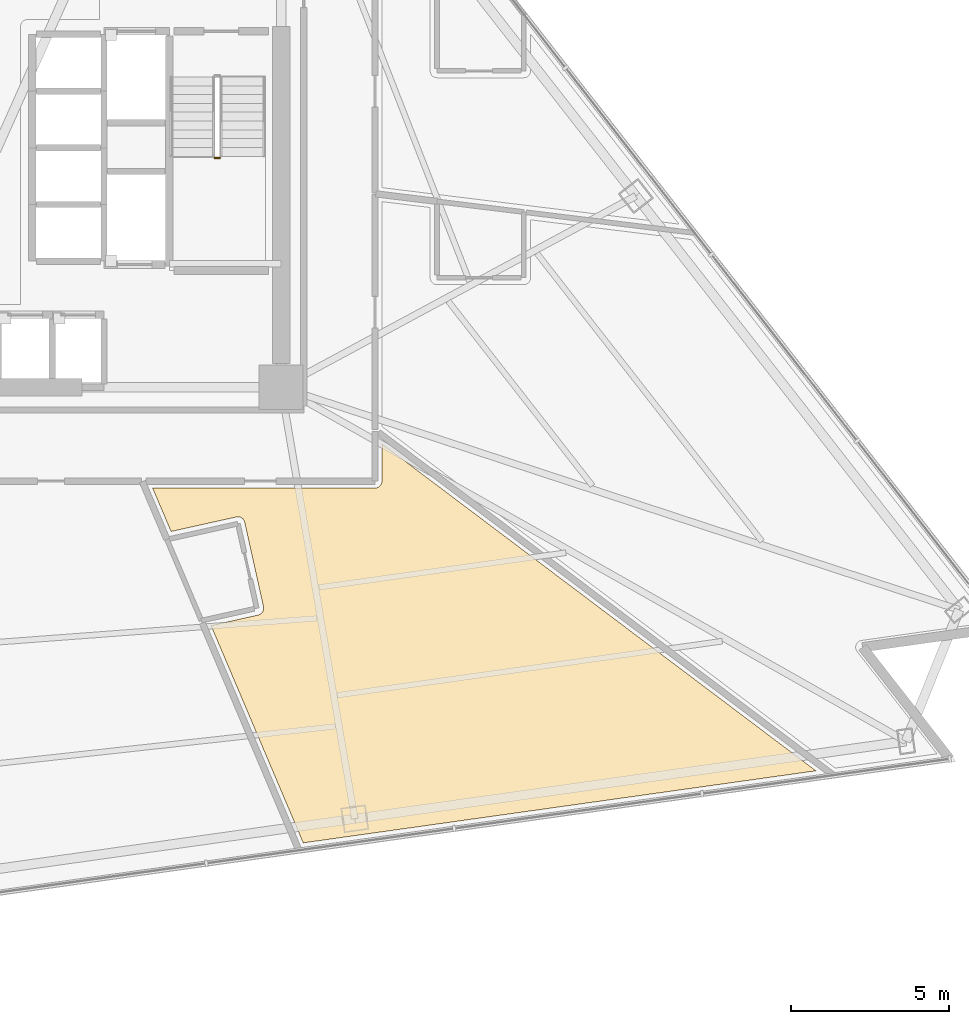
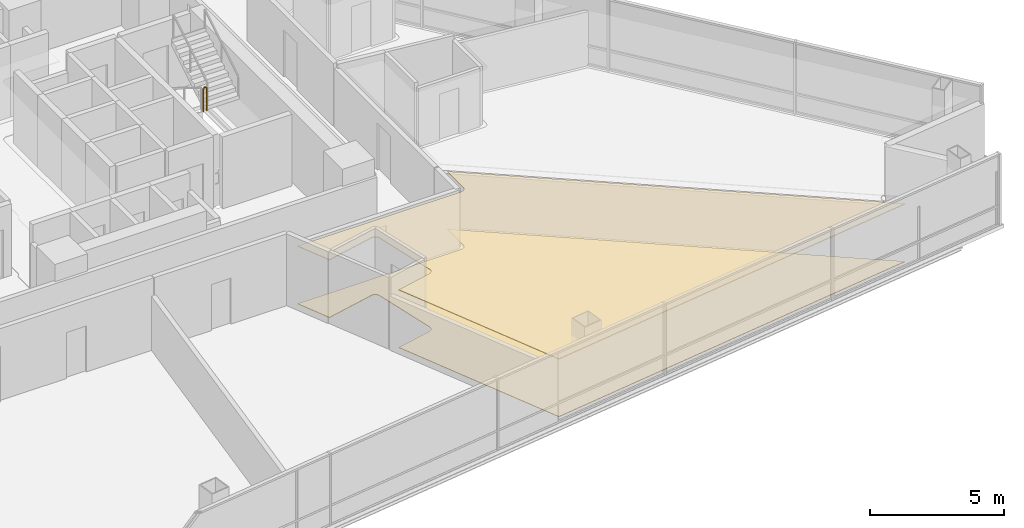
# One storey, part 13 of 15: 2 coverings, 1 railing.
"""IFC4 building model written with IfcOpenShell, lengths in metres."""

from ifc_helpers import new_model, si_unit, direction, frame, origin, origin_2d, place, context, subcontext, project, spatial, polyline, rectangle, outline, extrude, material, layer, layer_set, type_object, element, save


model = new_model("IFC4")

# Units and contexts
model_context = context("Model", 3, precision=1e-05, world=origin(), true_north=direction((0.0, 1.0)))
body_context = subcontext(model_context, "Body", "Model", "MODEL_VIEW")
ifc_project = project(units=[si_unit("LENGTHUNIT", "METRE"), si_unit("AREAUNIT", "SQUARE_METRE"), si_unit("VOLUMEUNIT", "CUBIC_METRE"), si_unit("PLANEANGLEUNIT", "RADIAN"), si_unit("MASSUNIT", "GRAM", prefix="KILO")], contexts=[model_context])

# Site, building, storey
site_placement = place(None, origin())
site = spatial("IfcSite", under=ifc_project, at=site_placement, CompositionType="ELEMENT")
building_placement = place(site_placement, origin())
building = spatial("IfcBuilding", under=site, at=building_placement, Name="Tharavind Bronze Gate", CompositionType="ELEMENT")
storey_placement = place(building_placement, frame((0.0, 0.0, 74.199951171875)))
storey = spatial("IfcBuildingStorey", under=building, at=storey_placement, Name="L18", CompositionType="ELEMENT", Elevation=74.199951171875)

# Coverings
ifc_material_1 = material(Name="Engineered Oak & Carpet Tile", Category="wood")
ifc_layer_1 = layer(ifc_material_1, 0.02490234375)
ifc_layer_set_1 = layer_set([ifc_layer_1], Name="Engineered Oak & Carpet Tile")
covering_type_1 = type_object("IfcCoveringType", Name="ENGINEERED TIMBER FLOORING", PredefinedType="FLOORING", material=ifc_layer_set_1)
covering_1_placement = place(storey_placement, origin())
element("IfcCovering", 1, at=covering_1_placement, inside=storey, type_object=covering_type_1, Name="L18-RM-09 floor finish", PredefinedType="FLOORING", context=body_context, shape_type="SweptSolid", body=[
    extrude(outline(polyline([(5.407958984375, -12.17724609375), (7.482421875, -11.71630859375), (7.503662109375, -11.712646484375), (7.525146484375, -11.711181640625), (7.546875, -11.711669921875), (7.568115234375, -11.71435546875), (7.589111328125, -11.71923828125), (7.609619140625, -11.72607421875), (7.62939453125, -11.73486328125), (7.648193359375, -11.74560546875), (7.665771484375, -11.7578125), (7.68212890625, -11.772216796875), (7.697021484375, -11.787841796875), (7.710205078125, -11.8046875), (7.7216796875, -11.822998046875), (7.7314453125, -11.84228515625), (7.739013671875, -11.862548828125), (7.744873046875, -11.88330078125), (8.34130859375, -14.56787109375), (8.34521484375, -14.589111328125), (8.3466796875, -14.610595703125), (8.345947265625, -14.63232421875), (8.34326171875, -14.65380859375), (8.338623046875, -14.6748046875), (8.331787109375, -14.6953125), (8.322998046875, -14.715087890625), (8.312255859375, -14.733642578125), (8.2998046875, -14.751220703125), (8.28564453125, -14.767578125), (8.27001953125, -14.782470703125), (8.2529296875, -14.795654296875), (8.234619140625, -14.807373046875), (8.21533203125, -14.81689453125), (8.1953125, -14.82470703125), (8.17431640625, -14.830322265625), (6.675537109375, -15.163330078125), (9.603515625, -22.061279296875), (25.876220703125, -19.7744140625), (12.10009765625, -9.3935546875), (12.10009765625, -10.579345703125), (12.099609375, -10.590087890625), (12.099609375, -10.5908203125), (12.09765625, -10.6123046875), (12.093505859375, -10.63330078125), (12.087158203125, -10.654052734375), (12.078857421875, -10.674072265625), (12.068603515625, -10.693115234375), (12.056640625, -10.7109375), (12.04296875, -10.727783203125), (12.027587890625, -10.742919921875), (12.010986328125, -10.756591796875), (11.9931640625, -10.768798828125), (11.97412109375, -10.77880859375), (11.9541015625, -10.787109375), (11.933349609375, -10.79345703125), (11.912353515625, -10.797607421875), (11.890869140625, -10.7998046875), (11.89013671875, -10.7998046875), (11.87939453125, -10.800048828125), (4.8232421875, -10.800048828125), (5.407958984375, -12.17724609375)])), origin(), (0.0, 0.0, 1.0), 0.025146484375),
])
ifc_material_2 = material(Name="Acoustic Gypsum Board", Category="gypsum")
ifc_layer_2 = layer(ifc_material_2, 0.030029296875)
ifc_layer_set_2 = layer_set([ifc_layer_2], Name="Acoustic Gypsum Board")
covering_type_2 = type_object("IfcCoveringType", Name="GYPSUM SUSPENDED CEILING", PredefinedType="CEILING", material=ifc_layer_set_2)
covering_2_placement = place(storey_placement, frame((0.0, 0.0, 2.625)))
element("IfcCovering", 2, at=covering_2_placement, inside=storey, type_object=covering_type_2, Name="L18-RM-09 suspended ceiling", PredefinedType="CEILING", context=body_context, shape_type="SweptSolid", body=[
    extrude(outline(polyline([(5.407958984375, -12.17724609375), (7.482421875, -11.71630859375), (7.503662109375, -11.712646484375), (7.525146484375, -11.711181640625), (7.546875, -11.711669921875), (7.568115234375, -11.71435546875), (7.589111328125, -11.71923828125), (7.609619140625, -11.72607421875), (7.62939453125, -11.73486328125), (7.648193359375, -11.74560546875), (7.665771484375, -11.7578125), (7.68212890625, -11.772216796875), (7.697021484375, -11.787841796875), (7.710205078125, -11.8046875), (7.7216796875, -11.822998046875), (7.7314453125, -11.84228515625), (7.739013671875, -11.862548828125), (7.744873046875, -11.88330078125), (8.34130859375, -14.56787109375), (8.34521484375, -14.589111328125), (8.3466796875, -14.610595703125), (8.345947265625, -14.63232421875), (8.34326171875, -14.65380859375), (8.338623046875, -14.6748046875), (8.331787109375, -14.6953125), (8.322998046875, -14.715087890625), (8.312255859375, -14.733642578125), (8.2998046875, -14.751220703125), (8.28564453125, -14.767578125), (8.27001953125, -14.782470703125), (8.2529296875, -14.795654296875), (8.234619140625, -14.807373046875), (8.21533203125, -14.81689453125), (8.1953125, -14.82470703125), (8.17431640625, -14.830322265625), (6.675537109375, -15.163330078125), (9.603515625, -22.061279296875), (25.876220703125, -19.7744140625), (12.10009765625, -9.3935546875), (12.10009765625, -10.579345703125), (12.099609375, -10.590087890625), (12.099609375, -10.5908203125), (12.09765625, -10.6123046875), (12.093505859375, -10.63330078125), (12.087158203125, -10.654052734375), (12.078857421875, -10.674072265625), (12.068603515625, -10.693115234375), (12.056640625, -10.7109375), (12.04296875, -10.727783203125), (12.027587890625, -10.742919921875), (12.010986328125, -10.756591796875), (11.9931640625, -10.768798828125), (11.97412109375, -10.77880859375), (11.9541015625, -10.787109375), (11.933349609375, -10.79345703125), (11.912353515625, -10.797607421875), (11.890869140625, -10.7998046875), (11.89013671875, -10.7998046875), (11.87939453125, -10.800048828125), (4.8232421875, -10.800048828125), (5.407958984375, -12.17724609375)])), origin(), (0.0, 0.0, 1.0), 0.03515625),
])

# Railing
ifc_material_3 = material(Name="Brushed Bronze Alloy", Category="metal")
railing_type = type_object("IfcRailingType", Name="STAIR WELL GUARD RAILING 1120", PredefinedType="GUARDRAIL", material=ifc_material_3)
railing_placement = place(storey_placement, frame((6.800048828125, -0.320068359375, 1.72509765625)))
element("IfcRailing", 3, at=railing_placement, inside=storey, type_object=railing_type, Name="L18 ST2 stair guard 2", PredefinedType="GUARDRAIL", context=body_context, shape_type="SweptSolid", body=[
    extrude(rectangle(XDim=0.048095703125, YDim=0.048095703125, at=origin_2d()), frame((0.031982421875, 0.0, 1.09619140625), z_axis=(1.0, 0.0, 0.0), x_axis=(0.0, 1.0, 0.0)), (0.0, 0.0, 1.0), 0.0859375),
    extrude(rectangle(XDim=0.0400390625, YDim=0.0400390625, at=origin_2d()), origin(), (0.0, 0.0, 1.0), 1.068115234375),
    extrude(rectangle(XDim=0.0400390625, YDim=0.0400390625, at=origin_2d()), frame((0.14990234375, 0.0, 0.0)), (0.0, 0.0, 1.0), 1.068115234375),
])

save(model, "model.ifc")
